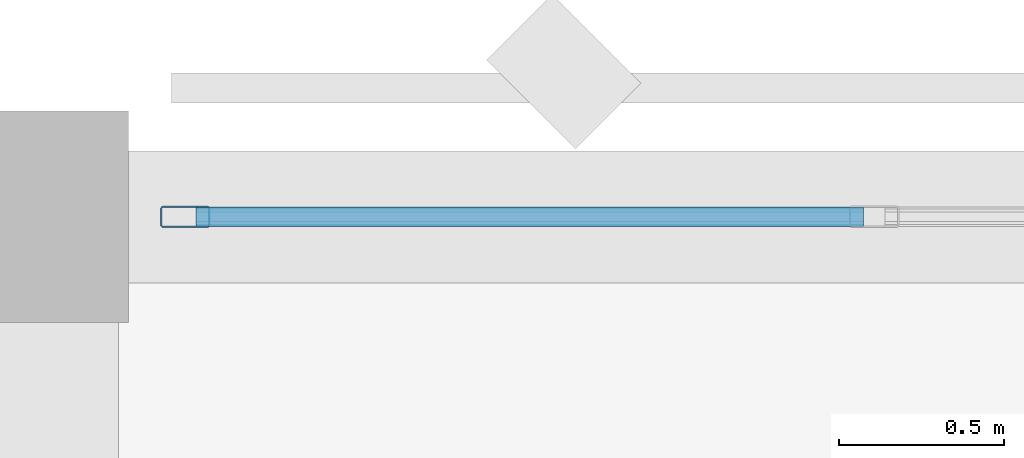
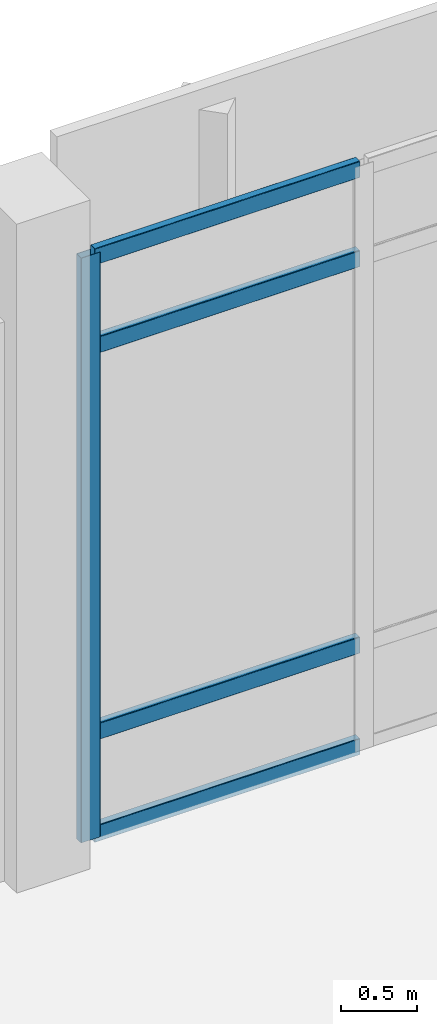
# One storey, part 134 of 180: 5 members, 1 element without a shape of its own.
"""IFC4 building model written with IfcOpenShell, lengths in metres."""

import ifcopenshell
import ifcopenshell.guid

model = None  # the IFC model being written
_history = None  # IfcOwnerHistory: only IFC2X3 demands one
_inside = {}  # id of a spatial element -> (the spatial element, [elements in it])
_under = {}  # id of a project, library or spatial element -> (it, [spatial elements below it])
_declared = {}  # id of a project -> (the project, [libraries it declares])
_typed = {}  # id of a type object -> (the type object, [elements of that type])
_made_of = {}  # id of a material, layer set ... -> (it, [elements and type objects made of it])


def new_model(schema):
    """Start an empty IFC model of exactly this schema.

    Asked for "IFC4X3", IfcOpenShell would pick the latest addendum, in which some entities
    have other attributes; the version numbers below select the first issue.
    IFC2X3 requires an IfcOwnerHistory on every rooted entity: one is made here for all.
    """
    global model, _history
    if schema == "IFC4X3":
        model = ifcopenshell.file(schema_version=(4, 3, 0, 0))
    else:
        model = ifcopenshell.file(schema=schema)
    _inside.clear()
    _under.clear()
    _declared.clear()
    _typed.clear()
    _made_of.clear()
    _history = None
    if model.schema == "IFC2X3":
        org = make("IfcOrganization", Name="unknown")
        user = make(
            "IfcPersonAndOrganization",
            ThePerson=make("IfcPerson", FamilyName="unknown"),
            TheOrganization=org,
        )
        app = make(
            "IfcApplication",
            ApplicationDeveloper=org,
            Version="unknown",
            ApplicationFullName="unknown",
            ApplicationIdentifier="unknown",
        )
        _history = make(
            "IfcOwnerHistory",
            OwningUser=user,
            OwningApplication=app,
            ChangeAction="ADDED",
            CreationDate=0,
        )
    return model


def make(cls, **values):
    """One entity of the class cls with the attributes given. An attribute that is None is left unset."""
    return model.create_entity(
        cls, **{name: value for name, value in values.items() if value is not None}
    )


def rooted(cls, **values):
    """An entity with a GlobalId (a new one), such as an element, a storey or a relation."""
    return make(cls, GlobalId=ifcopenshell.guid.new(), OwnerHistory=_history, **values)


def si_unit(unit_type, name, prefix=None):
    """IfcSIUnit, for example si_unit("LENGTHUNIT", "METRE", prefix="MILLI")."""
    return make("IfcSIUnit", UnitType=unit_type, Prefix=prefix, Name=name)


def assignment(units):
    """IfcUnitAssignment: the units of a project."""
    return None if units is None else make("IfcUnitAssignment", Units=units)


def point(xyz):
    """IfcCartesianPoint."""
    return None if xyz is None else make("IfcCartesianPoint", Coordinates=xyz)


def direction(xyz):
    """IfcDirection."""
    return None if xyz is None else make("IfcDirection", DirectionRatios=xyz)


def frame(location, z_axis=None, x_axis=None):
    """IfcAxis2Placement3D, a coordinate frame: its origin and axes. An axis left out is left unset."""
    return make(
        "IfcAxis2Placement3D",
        Location=point(location),
        Axis=direction(z_axis),
        RefDirection=direction(x_axis),
    )


def frame_2d(location, x_axis=None):
    """IfcAxis2Placement2D, a coordinate frame in the plane: its origin and x axis."""
    return make(
        "IfcAxis2Placement2D", Location=point(location), RefDirection=direction(x_axis)
    )


def origin():
    """The frame at (0, 0, 0) with its axes left unset."""
    return frame((0.0, 0.0, 0.0))


def origin_2d():
    """The frame at (0, 0) in the plane with its x axis left unset."""
    return frame_2d((0.0, 0.0))


def place(relative_to, where):
    """IfcLocalPlacement: puts the frame where relative to a parent placement (None: the world)."""
    return make(
        "IfcLocalPlacement", PlacementRelTo=relative_to, RelativePlacement=where
    )


def context(
    kind, dimensions, precision=None, world=None, true_north=None, identifier=None
):
    """IfcGeometricRepresentationContext, for example the 3D "Model" context."""
    return make(
        "IfcGeometricRepresentationContext",
        ContextIdentifier=identifier,
        ContextType=kind,
        CoordinateSpaceDimension=dimensions,
        Precision=precision,
        WorldCoordinateSystem=world,
        TrueNorth=true_north,
    )


def subcontext(parent, identifier, kind, view, scale=None):
    """IfcGeometricRepresentationSubContext, for example "Body" below "Model"."""
    return make(
        "IfcGeometricRepresentationSubContext",
        ContextIdentifier=identifier,
        ContextType=kind,
        ParentContext=parent,
        TargetScale=scale,
        TargetView=view,
    )


def project(units=None, contexts=None):
    """IfcProject with its units and contexts."""
    return rooted(
        "IfcProject",
        Name="project",
        RepresentationContexts=contexts,
        UnitsInContext=assignment(units),
    )


def spatial(cls, under=None, at=None, **own):
    """A site, building, storey or space (cls), placed at a placement, below another one or the project."""
    s = rooted(cls, ObjectPlacement=at, **own)
    if under is not None:
        _under.setdefault(under.id(), (under, []))[1].append(s)
    return s


def profile(cls, at=None, kind="AREA", **sizes):
    """A parametric profile (cls). Its sizes go by their IFC names, for example OverallWidth=200.0."""
    return make(cls, ProfileType=kind, Position=at, **sizes)


def hollow_rectangle(**sizes):
    """IfcRectangleHollowProfileDef."""
    return profile("IfcRectangleHollowProfileDef", **sizes)


def extrude(swept, where, along, depth):
    """IfcExtrudedAreaSolid: the profile swept, set in the frame where, extruded along a direction by depth."""
    return make(
        "IfcExtrudedAreaSolid",
        SweptArea=swept,
        Position=where,
        ExtrudedDirection=direction(along),
        Depth=depth,
    )


def shape(context_of_items, identifier, shape_type, items):
    """IfcShapeRepresentation: the items that make up one representation, for example the "Body"."""
    return make(
        "IfcShapeRepresentation",
        ContextOfItems=context_of_items,
        RepresentationIdentifier=identifier,
        RepresentationType=shape_type,
        Items=items,
    )


def material(Name=None, Category=None):
    """IfcMaterial."""
    return make("IfcMaterial", Name=Name, Category=Category)


def material_profile(
    of_material, cross_section, Name=None, Category=None, Priority=None
):
    """IfcMaterialProfile: a cross section and its material."""
    return make(
        "IfcMaterialProfile",
        Name=Name,
        Material=of_material,
        Profile=cross_section,
        Priority=Priority,
        Category=Category,
    )


def profile_set(profiles, Name=None, composite=None):
    """IfcMaterialProfileSet."""
    return make(
        "IfcMaterialProfileSet",
        Name=Name,
        MaterialProfiles=profiles,
        CompositeProfile=composite,
    )


def made_of(thing, what):
    """Note that an element or type object is made of a material, layer set ...; save() writes the relation."""
    if what is not None:
        _made_of.setdefault(what.id(), (what, []))[1].append(thing)
    return thing


def type_object(cls, material=None, **own):
    """A type object (cls), such as IfcWallType, which elements share."""
    return made_of(rooted(cls, **own), material)


def element(
    cls,
    number,
    at=None,
    inside=None,
    cuts=None,
    type_object=None,
    material=None,
    context=None,
    identifier="Body",
    shape_type=None,
    held_by="IfcProductDefinitionShape",
    body=None,
    shapes=None,
    **own,
):
    """One element of the class cls, such as IfcWall. Its Tag is "e" and its number.

    at: its placement. inside: the storey or other place that contains it. cuts: it is an
    opening in that element (IfcRelVoidsElement). A single representation is given by context,
    identifier, shape_type and body (its items); several are given by shapes. held_by: the class
    of the entity that holds the representations. save() writes the other relations.
    """
    e = rooted(cls, Tag="e%d" % number, ObjectPlacement=at, **own)
    if body is not None:
        shapes = [shape(context, identifier, shape_type, body)]
    if shapes is not None:
        e.Representation = make(held_by, Representations=shapes)
    if inside is not None:
        _inside.setdefault(inside.id(), (inside, []))[1].append(e)
    if cuts is not None:
        rooted(
            "IfcRelVoidsElement", RelatingBuildingElement=cuts, RelatedOpeningElement=e
        )
    if type_object is not None:
        _typed.setdefault(type_object.id(), (type_object, []))[1].append(e)
    return made_of(e, material)


def aggregate(whole, parts):
    """IfcRelAggregates: a whole, such as a stair, and the parts it consists of."""
    return rooted("IfcRelAggregates", RelatingObject=whole, RelatedObjects=parts)


def save(model, path):
    """Write the relations noted so far, then the file.

    IfcRelAggregates (storeys below a building ...), IfcRelContainedInSpatialStructure (elements
    in a storey), IfcRelDefinesByType, IfcRelAssociatesMaterial and IfcRelDeclares: one each for
    every whole, place, type object, material and project.
    """
    for whole, parts in _under.values():
        aggregate(whole, parts)
    for where, things in _inside.values():
        rooted(
            "IfcRelContainedInSpatialStructure",
            RelatedElements=things,
            RelatingStructure=where,
        )
    for kind, things in _typed.values():
        rooted("IfcRelDefinesByType", RelatedObjects=things, RelatingType=kind)
    for what, things in _made_of.values():
        rooted("IfcRelAssociatesMaterial", RelatedObjects=things, RelatingMaterial=what)
    for by, libraries in _declared.values():
        rooted("IfcRelDeclares", RelatingContext=by, RelatedDefinitions=libraries)
    model.write(path)


model = new_model("IFC4")

# Units and contexts
model_context = context("Model", 3, precision=1e-05, world=origin(), true_north=direction((0.0, 1.0)))
body_context = subcontext(model_context, "Body", "Model", "MODEL_VIEW")
ifc_project = project(units=[si_unit("LENGTHUNIT", "METRE"), si_unit("AREAUNIT", "SQUARE_METRE"), si_unit("VOLUMEUNIT", "CUBIC_METRE"), si_unit("PLANEANGLEUNIT", "RADIAN"), si_unit("MASSUNIT", "GRAM", prefix="KILO")], contexts=[model_context])

# Site, building, storey
site_placement = place(None, origin())
site = spatial("IfcSite", under=ifc_project, at=site_placement, CompositionType="ELEMENT")
building_placement = place(site_placement, origin())
building = spatial("IfcBuilding", under=site, at=building_placement, Name="Lusvemor Sports Hall", CompositionType="ELEMENT")
storey_placement = place(building_placement, frame((0.0, 0.0, 5.39990234375)))
storey = spatial("IfcBuildingStorey", under=building, at=storey_placement, Name="L01", CompositionType="ELEMENT", Elevation=5.39990234375)

# Curtain wall, members
ifc_material_1 = material(Name="Thermally broken bronze-anodized aluminium", Category="aluminium")
curtain_wall_type = type_object("IfcCurtainWallType", Name="CW_WING_B", PredefinedType="NOTDEFINED", material=ifc_material_1)
curtain_wall_placement = place(storey_placement, origin())
curtain_wall = element("IfcCurtainWall", 1, at=curtain_wall_placement, inside=storey, type_object=curtain_wall_type, Name="Curtain Wall CW-L01-N-1-17", PredefinedType="NOTDEFINED")
ifc_material_2 = material(Name="Thermally broken bronze-anodized aluminium", Category="aluminium")
ifc_material_profile_1 = material_profile(ifc_material_2, hollow_rectangle(XDim=0.06494140625, YDim=0.14990234375, WallThickness=0.00390625, InnerFilletRadius=0.00390625, OuterFilletRadius=0.008056640625, at=origin_2d()), Name="CWMUL150x65x4")
ifc_profile_set_1 = profile_set([ifc_material_profile_1], Name="Thermally broken bronze-anodized aluminium")
member_type_1 = type_object("IfcMemberType", Name="CW_MUL_B", PredefinedType="MULLION", material=ifc_profile_set_1)
member_1_placement = place(storey_placement, frame((155.25244140625, 115.199951171875, 0.0), z_axis=(0.0, 0.0, 1.0), x_axis=(0.0, 1.0, 0.0)))
member_1 = element("IfcMember", 2, at=member_1_placement, type_object=member_type_1, Name="CW02 mullion 1", PredefinedType="MULLION", context=body_context, shape_type="SweptSolid", body=[
    extrude(hollow_rectangle(XDim=0.06494140625, YDim=0.14990234375, WallThickness=0.00390625, InnerFilletRadius=0.00390625, OuterFilletRadius=0.008056640625, at=origin_2d()), origin(), (0.0, 0.0, 1.0), 4.72021484375),
])
ifc_material_3 = material(Name="Thermally broken bronze-anodized aluminium", Category="aluminium")
ifc_material_profile_2 = material_profile(ifc_material_3, hollow_rectangle(XDim=0.06005859375, YDim=0.135009765625, WallThickness=0.00390625, InnerFilletRadius=0.00390625, OuterFilletRadius=0.008056640625, at=origin_2d()), Name="CWTRN135x60x4")
ifc_profile_set_2 = profile_set([ifc_material_profile_2], Name="Thermally broken bronze-anodized aluminium")
member_type_2 = type_object("IfcMemberType", Name="CW_TRN_B", PredefinedType="USERDEFINED", material=ifc_profile_set_2)
member_2_placement = place(storey_placement, frame((155.284912109375, 115.199951171875, 0.030029296875), z_axis=(1.0, 0.0, 0.0), x_axis=(0.0, 1.0, 0.0)))
member_2 = element("IfcMember", 3, at=member_2_placement, type_object=member_type_2, Name="CW02 transom 1.1", ObjectType="TRANSOM", PredefinedType="USERDEFINED", context=body_context, shape_type="SweptSolid", body=[
    extrude(hollow_rectangle(XDim=0.06005859375, YDim=0.135009765625, WallThickness=0.00390625, InnerFilletRadius=0.00390625, OuterFilletRadius=0.008056640625, at=origin_2d()), origin(), (0.0, 0.0, 1.0), 2.022705078125),
])
member_3_placement = place(storey_placement, frame((155.284912109375, 115.199951171875, 0.85009765625), z_axis=(1.0, 0.0, 0.0), x_axis=(0.0, 1.0, 0.0)))
member_3 = element("IfcMember", 4, at=member_3_placement, type_object=member_type_2, Name="CW02 transom 1.2", ObjectType="TRANSOM", PredefinedType="USERDEFINED", context=body_context, shape_type="SweptSolid", body=[
    extrude(hollow_rectangle(XDim=0.06005859375, YDim=0.135009765625, WallThickness=0.00390625, InnerFilletRadius=0.00390625, OuterFilletRadius=0.008056640625, at=origin_2d()), origin(), (0.0, 0.0, 1.0), 2.022705078125),
])
member_4_placement = place(storey_placement, frame((155.284912109375, 115.199951171875, 3.97021484375), z_axis=(1.0, 0.0, 0.0), x_axis=(0.0, 1.0, 0.0)))
member_4 = element("IfcMember", 5, at=member_4_placement, type_object=member_type_2, Name="CW02 transom 1.3", ObjectType="TRANSOM", PredefinedType="USERDEFINED", context=body_context, shape_type="SweptSolid", body=[
    extrude(hollow_rectangle(XDim=0.06005859375, YDim=0.135009765625, WallThickness=0.00390625, InnerFilletRadius=0.00390625, OuterFilletRadius=0.008056640625, at=origin_2d()), origin(), (0.0, 0.0, 1.0), 2.022705078125),
])
member_5_placement = place(storey_placement, frame((155.284912109375, 115.199951171875, 4.690185546875), z_axis=(1.0, 0.0, 0.0), x_axis=(0.0, 1.0, 0.0)))
member_5 = element("IfcMember", 6, at=member_5_placement, type_object=member_type_2, Name="CW02 transom 1.4", ObjectType="TRANSOM", PredefinedType="USERDEFINED", context=body_context, shape_type="SweptSolid", body=[
    extrude(hollow_rectangle(XDim=0.06005859375, YDim=0.135009765625, WallThickness=0.00390625, InnerFilletRadius=0.00390625, OuterFilletRadius=0.008056640625, at=origin_2d()), origin(), (0.0, 0.0, 1.0), 2.022705078125),
])
aggregate(curtain_wall, [member_1, member_2, member_3, member_4, member_5])

save(model, "model.ifc")
